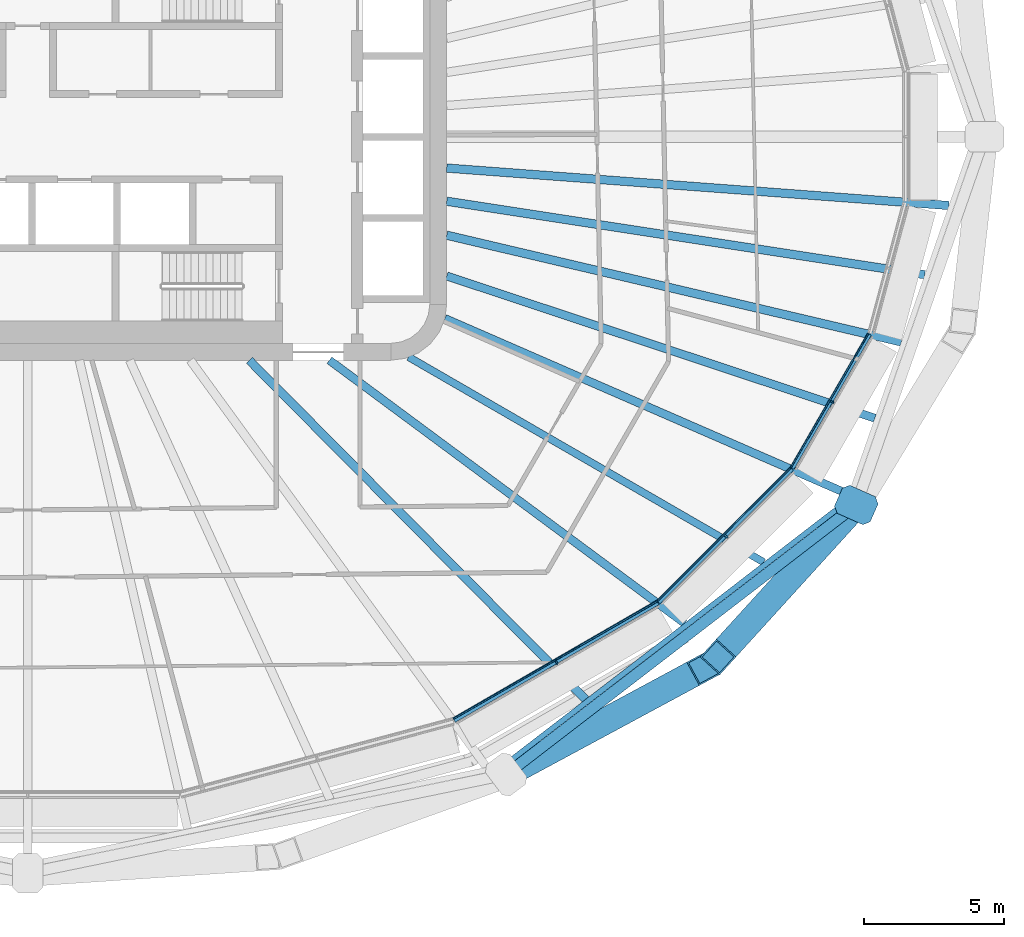
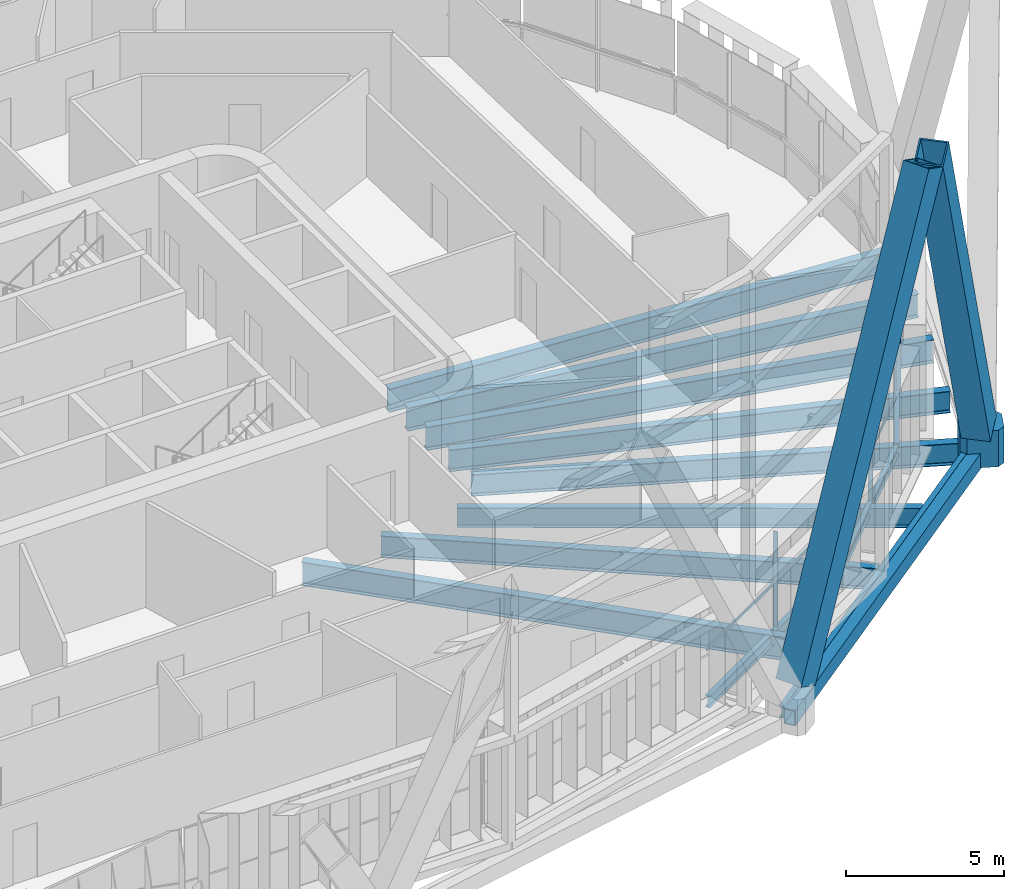
# One storey, part 5 of 25: 13 beams, 9 members, 3 elements without a shape of their own.
"""IFC4 building model written with IfcOpenShell, lengths in metres."""

from ifc_helpers import new_model, si_unit, direction, frame, origin, origin_2d, place, context, subcontext, project, spatial, polyline, rectangle, hollow_rectangle, i_section, outline, extrude, material, layer, layer_set, material_profile, profile_set, type_object, element, aggregate, save


model = new_model("IFC4")

# Units and contexts
model_context = context("Model", 3, precision=1e-05, world=origin(), true_north=direction((0.0, 1.0)))
body_context = subcontext(model_context, "Body", "Model", "MODEL_VIEW")
ifc_project = project(units=[si_unit("LENGTHUNIT", "METRE"), si_unit("AREAUNIT", "SQUARE_METRE"), si_unit("VOLUMEUNIT", "CUBIC_METRE"), si_unit("PLANEANGLEUNIT", "RADIAN"), si_unit("MASSUNIT", "GRAM", prefix="KILO")], contexts=[model_context])

# Site, building, storey
site_placement = place(None, origin())
site = spatial("IfcSite", under=ifc_project, at=site_placement, CompositionType="ELEMENT")
building_placement = place(site_placement, origin())
building = spatial("IfcBuilding", under=site, at=building_placement, Name="Sahrelin Media Tower", CompositionType="ELEMENT")
storey_placement = place(building_placement, frame((0.0, 0.0, 79.800048828125)))
storey = spatial("IfcBuildingStorey", under=building, at=storey_placement, Name="L14", CompositionType="ELEMENT", Elevation=79.800048828125)

# Members
ifc_material_1 = material(Name="Steel S460", Category="steel")
ifc_material_profile_1 = material_profile(ifc_material_1, hollow_rectangle(XDim=0.949951171875, YDim=0.949951171875, WallThickness=0.054931640625, at=origin_2d()), Name="Diagrid diagonal DG2")
ifc_profile_set_1 = profile_set([ifc_material_profile_1], Name="Steel S460")
member_type_1 = type_object("IfcMemberType", Name="Diagrid diagonal DG2", PredefinedType="BRACE", material=ifc_profile_set_1)
member_1_placement = place(storey_placement, frame((17.43359375, -22.66650390625, 0.699951171875), z_axis=(0.392849086991, 0.211661810358, 0.894912773898), x_axis=(-0.474321630663, 0.880351629001, 0.0)))
element("IfcMember", 1, at=member_1_placement, inside=storey, type_object=member_type_1, Name="Diagrid diagonal D02-20", PredefinedType="BRACE", context=body_context, shape_type="SweptSolid", body=[
    extrude(hollow_rectangle(XDim=0.949951171875, YDim=0.949951171875, WallThickness=0.054931640625, at=origin_2d()), origin(), (0.0, 0.0, 1.0), 17.208251953125),
])
member_2_placement = place(storey_placement, frame((29.448486328125, -13.41845703125, 0.699951171875), z_axis=(-0.279512782361, -0.30735879086, 0.90961705029), x_axis=(0.739825407154, -0.672798905267, 0.0)))
element("IfcMember", 2, at=member_2_placement, inside=storey, type_object=member_type_1, Name="Diagrid diagonal D02-21", PredefinedType="BRACE", context=body_context, shape_type="SweptSolid", body=[
    extrude(hollow_rectangle(XDim=0.949951171875, YDim=0.949951171875, WallThickness=0.054931640625, at=origin_2d()), origin(), (0.0, 0.0, 1.0), 16.93017578125),
])
ifc_material_profile_2 = material_profile(ifc_material_1, outline(polyline([(0.5, -0.550048828125), (0.699951171875, -0.35009765625), (0.699951171875, 0.35009765625), (0.5, 0.550048828125), (-0.5, 0.550048828125), (-0.699951171875, 0.35009765625), (-0.699951171875, -0.35009765625), (-0.5, -0.550048828125), (0.5, -0.550048828125)])), Name="Diagrid node block 1400")
ifc_profile_set_2 = profile_set([ifc_material_profile_2], Name="Steel S460")
member_type_2 = type_object("IfcMemberType", Name="Diagrid node block 1400", PredefinedType="USERDEFINED", material=ifc_profile_set_2)
member_3_placement = place(storey_placement, frame((29.66357421875, -13.181884765625, -0.699951171875), z_axis=(0.0, 0.0, 1.0), x_axis=(0.913832734584, -0.406090794285, 0.0)))
element("IfcMember", 3, at=member_3_placement, inside=storey, type_object=member_type_2, Name="Diagrid node N02-11", ObjectType="NODE", PredefinedType="USERDEFINED", context=body_context, shape_type="SweptSolid", body=[
    extrude(outline(polyline([(0.5, -0.550048828125), (0.699951171875, -0.35009765625), (0.699951171875, 0.35009765625), (0.5, 0.550048828125), (-0.5, 0.550048828125), (-0.699951171875, 0.35009765625), (-0.699951171875, -0.35009765625), (-0.5, -0.550048828125), (0.5, -0.550048828125)])), origin(), (0.0, 0.0, 1.0), 1.39990234375),
])

# Beams
ifc_material_profile_3 = material_profile(ifc_material_1, hollow_rectangle(XDim=0.39990234375, YDim=0.60009765625, WallThickness=0.030029296875, at=origin_2d()), Name="Diagrid ring beam RB1")
ifc_profile_set_3 = profile_set([ifc_material_profile_3], Name="Steel S460")
beam_type_1 = type_object("IfcBeamType", Name="Diagrid ring beam RB1", PredefinedType="BEAM", material=ifc_profile_set_3)
beam_1_placement = place(storey_placement, frame((17.126220703125, -22.83203125, -0.449951171875), z_axis=(0.792439810802, 0.609950117843, 0.0), x_axis=(-0.609950117843, 0.792439810802, 0.0)))
element("IfcBeam", 4, at=beam_1_placement, inside=storey, type_object=beam_type_1, Name="Diagrid ring beam RB02-10", PredefinedType="BEAM", context=body_context, shape_type="SweptSolid", body=[
    extrude(hollow_rectangle(XDim=0.39990234375, YDim=0.60009765625, WallThickness=0.030029296875, at=origin_2d()), origin(), (0.0, 0.0, 1.0), 15.8212890625),
])
ifc_material_2 = material(Name="Steel S355", Category="steel")
ifc_material_profile_4 = material_profile(ifc_material_2, i_section(OverallWidth=0.1650390625, OverallDepth=0.303466796875, WebThickness=0.006103515625, FlangeThickness=0.01025390625, FilletRadius=0.0087890625, at=origin_2d()), Name="UB 305x165x40")
ifc_profile_set_4 = profile_set([ifc_material_profile_4], Name="Steel S355")
beam_type_2 = type_object("IfcBeamType", Name="Edge beam EB2", PredefinedType="BEAM", material=ifc_profile_set_4)
beam_2_placement = place(storey_placement, frame((30.131103515625, -7.065673828125, -0.3017578125), z_axis=(-0.500032921827, -0.866006395524, 0.0), x_axis=(0.866006395524, -0.500032921827, 0.0)))
element("IfcBeam", 5, at=beam_2_placement, inside=storey, type_object=beam_type_2, Name="Edge beam L14-03", PredefinedType="BEAM", context=body_context, shape_type="SweptSolid", body=[
    extrude(i_section(OverallWidth=0.1650390625, OverallDepth=0.303466796875, WebThickness=0.006103515625, FlangeThickness=0.01025390625, FilletRadius=0.0087890625, at=origin_2d()), origin(), (0.0, 0.0, 1.0), 5.536376953125),
])
ifc_material_profile_5 = material_profile(ifc_material_2, i_section(OverallWidth=0.17138671875, OverallDepth=0.35498046875, WebThickness=0.00732421875, FlangeThickness=0.011474609375, FilletRadius=0.01025390625, at=origin_2d()), Name="UB 356x171x51")
ifc_profile_set_5 = profile_set([ifc_material_profile_5], Name="Steel S355")
beam_type_3 = type_object("IfcBeamType", Name="Edge beam EB3", PredefinedType="BEAM", material=ifc_profile_set_5)
beam_3_placement = place(storey_placement, frame((27.34521484375, -11.883056640625, -0.32763671875), z_axis=(-0.707106781187, -0.707106781187, 0.0), x_axis=(0.707106781187, -0.707106781187, 0.0)))
element("IfcBeam", 6, at=beam_3_placement, inside=storey, type_object=beam_type_3, Name="Edge beam L14-04", PredefinedType="BEAM", context=body_context, shape_type="SweptSolid", body=[
    extrude(i_section(OverallWidth=0.17138671875, OverallDepth=0.35498046875, WebThickness=0.00732421875, FlangeThickness=0.011474609375, FilletRadius=0.01025390625, at=origin_2d()), origin(), (0.0, 0.0, 1.0), 6.743408203125),
])
ifc_material_profile_6 = material_profile(ifc_material_2, i_section(OverallWidth=0.1904296875, OverallDepth=0.45703125, WebThickness=0.009033203125, FlangeThickness=0.014404296875, FilletRadius=0.01025390625, at=origin_2d()), Name="UB 457x191x74")
ifc_profile_set_6 = profile_set([ifc_material_profile_6], Name="Steel S355")
beam_type_4 = type_object("IfcBeamType", Name="Edge beam EB5", PredefinedType="BEAM", material=ifc_profile_set_6)
beam_4_placement = place(storey_placement, frame((22.55419921875, -16.6689453125, -0.378662109375), z_axis=(-0.866028760111, -0.499994186627, 0.0), x_axis=(0.499994186627, -0.866028760111, 0.0)))
element("IfcBeam", 7, at=beam_4_placement, inside=storey, type_object=beam_type_4, Name="Edge beam L14-05", PredefinedType="BEAM", context=body_context, shape_type="SweptSolid", body=[
    extrude(i_section(OverallWidth=0.1904296875, OverallDepth=0.45703125, WebThickness=0.009033203125, FlangeThickness=0.014404296875, FilletRadius=0.01025390625, at=origin_2d()), origin(), (0.0, 0.0, 1.0), 8.42529296875),
])

# Curtain wall, member
ifc_material_3 = material(Name="Champagne anodised aluminium 6063-T6", Category="aluminium")
ifc_layer = layer(ifc_material_3, 0.14990234375)
ifc_layer_set = layer_set([ifc_layer], Name="Tower ribbon curtain wall")
curtain_wall_type = type_object("IfcCurtainWallType", Name="Tower ribbon curtain wall", PredefinedType="NOTDEFINED", material=ifc_layer_set)
curtain_wall_1_placement = place(storey_placement, frame((18.98095703125, -18.9052734375, 0.0), z_axis=(0.0, 0.0, 1.0), x_axis=(1.0, 0.0, 0.0)))
curtain_wall_1 = element("IfcCurtainWall", 8, at=curtain_wall_1_placement, inside=storey, type_object=curtain_wall_type, Name="L14:CW:L14-20", PredefinedType="NOTDEFINED")
ifc_material_profile_7 = material_profile(ifc_material_3, rectangle(XDim=0.06005859375, YDim=0.14990234375, at=origin_2d()), Name="Mullion 60x150")
ifc_profile_set_7 = profile_set([ifc_material_profile_7], Name="Champagne anodised aluminium 6063-T6")
member_type_3 = type_object("IfcMemberType", Name="Mullion 60x150 CW1", PredefinedType="MULLION", material=ifc_profile_set_7)
member_4_placement = place(storey_placement, frame((18.933349609375, -18.822998046875, 0.0), z_axis=(0.0, 0.0, 1.0), x_axis=(0.866027149108, 0.499996976998, 0.0)))
member_4 = element("IfcMember", 9, at=member_4_placement, type_object=member_type_3, Name="L14:CWM:L14-20", PredefinedType="MULLION", context=body_context, shape_type="SweptSolid", body=[
    extrude(rectangle(XDim=0.06005859375, YDim=0.14990234375, at=origin_2d()), origin(), (0.0, 0.0, 1.0), 3.6484375),
])

curtain_wall_2_placement = place(storey_placement, frame((25.067138671875, -14.373291015625, 0.0), z_axis=(0.0, 0.0, 1.0), x_axis=(1.0, 0.0, 0.0)))
curtain_wall_2 = element("IfcCurtainWall", 10, at=curtain_wall_2_placement, inside=storey, type_object=curtain_wall_type, Name="L14:CW:L14-21", PredefinedType="NOTDEFINED")
member_5_placement = place(storey_placement, frame((25.0, -14.30615234375, 0.0), z_axis=(0.0, 0.0, 1.0), x_axis=(0.707106781187, 0.707106781187, 0.0)))
member_5 = element("IfcMember", 11, at=member_5_placement, type_object=member_type_3, Name="L14:CWM:L14-21", PredefinedType="MULLION", context=body_context, shape_type="SweptSolid", body=[
    extrude(rectangle(XDim=0.06005859375, YDim=0.14990234375, at=origin_2d()), origin(), (0.0, 0.0, 1.0), 3.6484375),
])

curtain_wall_3_placement = place(storey_placement, frame((28.876708984375, -9.537841796875, 0.0), z_axis=(0.0, 0.0, 1.0), x_axis=(1.0, 0.0, 0.0)))
curtain_wall_3 = element("IfcCurtainWall", 12, at=curtain_wall_3_placement, inside=storey, type_object=curtain_wall_type, Name="L14:CW:L14-22", PredefinedType="NOTDEFINED")
member_6_placement = place(storey_placement, frame((28.79443359375, -9.490478515625, 0.0), z_axis=(0.0, 0.0, 1.0), x_axis=(0.5, 0.866025403784, 0.0)))
member_6 = element("IfcMember", 13, at=member_6_placement, type_object=member_type_3, Name="L14:CWM:L14-22", PredefinedType="MULLION", context=body_context, shape_type="SweptSolid", body=[
    extrude(rectangle(XDim=0.06005859375, YDim=0.14990234375, at=origin_2d()), origin(), (0.0, 0.0, 1.0), 3.6484375),
])

# Beams
ifc_material_profile_8 = material_profile(ifc_material_2, i_section(OverallWidth=0.291748046875, OverallDepth=0.8349609375, WebThickness=0.013916015625, FlangeThickness=0.018798828125, FilletRadius=0.017822265625, at=origin_2d()), Name="UB 838x292x176")
ifc_profile_set_8 = profile_set([ifc_material_profile_8], Name="Steel S355")
beam_type_5 = type_object("IfcBeamType", Name="Radial primary beam PB10", PredefinedType="BEAM", material=ifc_profile_set_8)
beam_5_placement = place(storey_placement, frame((10.8017578125, -8.0, -0.567626953125), z_axis=(0.803598471395, -0.595171821218, 0.0), x_axis=(0.595171821218, 0.803598471395, 0.0)))
element("IfcBeam", 14, at=beam_5_placement, inside=storey, type_object=beam_type_5, Name="Radial beam L14-21", PredefinedType="BEAM", context=body_context, shape_type="SweptSolid", body=[
    extrude(i_section(OverallWidth=0.291748046875, OverallDepth=0.8349609375, WebThickness=0.013916015625, FlangeThickness=0.018798828125, FilletRadius=0.017822265625, at=origin_2d()), origin(), (0.0, 0.0, 1.0), 15.8203125),
])
beam_6_placement = place(storey_placement, frame((14.933837890625, -6.50341796875, -0.567626953125), z_axis=(0.916840562367, -0.399253532482, 0.0), x_axis=(0.399253532482, 0.916840562367, 0.0)))
element("IfcBeam", 15, at=beam_6_placement, inside=storey, type_object=beam_type_5, Name="Radial beam L14-22", PredefinedType="BEAM", context=body_context, shape_type="SweptSolid", body=[
    extrude(i_section(OverallWidth=0.291748046875, OverallDepth=0.8349609375, WebThickness=0.013916015625, FlangeThickness=0.018798828125, FilletRadius=0.017822265625, at=origin_2d()), origin(), (0.0, 0.0, 1.0), 15.75634765625),
])
ifc_material_profile_9 = material_profile(ifc_material_2, i_section(OverallWidth=0.30322265625, OverallDepth=0.903076171875, WebThickness=0.01513671875, FlangeThickness=0.020263671875, FilletRadius=0.01904296875, at=origin_2d()), Name="UB 914x305x201")
ifc_profile_set_9 = profile_set([ifc_material_profile_9], Name="Steel S355")
beam_type_6 = type_object("IfcBeamType", Name="Radial primary beam PB11", PredefinedType="BEAM", material=ifc_profile_set_9)
beam_7_placement = place(storey_placement, frame((15.0, -3.52294921875, -0.6015625), z_axis=(0.973510923424, -0.228640508167, 0.0), x_axis=(0.228640508167, 0.973510923424, 0.0)))
element("IfcBeam", 16, at=beam_7_placement, inside=storey, type_object=beam_type_6, Name="Radial beam L14-23", PredefinedType="BEAM", context=body_context, shape_type="SweptSolid", body=[
    extrude(i_section(OverallWidth=0.30322265625, OverallDepth=0.903076171875, WebThickness=0.01513671875, FlangeThickness=0.020263671875, FilletRadius=0.01904296875, at=origin_2d()), origin(), (0.0, 0.0, 1.0), 16.719482421875),
])
beam_8_placement = place(storey_placement, frame((15.0, -1.119140625, -0.6015625), z_axis=(0.997228147563, -0.074404446835, 0.0), x_axis=(0.074404446835, 0.997228147563, 0.0)))
element("IfcBeam", 17, at=beam_8_placement, inside=storey, type_object=beam_type_6, Name="Radial beam L14-24", PredefinedType="BEAM", context=body_context, shape_type="SweptSolid", body=[
    extrude(i_section(OverallWidth=0.30322265625, OverallDepth=0.903076171875, WebThickness=0.01513671875, FlangeThickness=0.020263671875, FilletRadius=0.01904296875, at=origin_2d()), origin(), (0.0, 0.0, 1.0), 18.02734375),
])
ifc_material_profile_10 = material_profile(ifc_material_2, i_section(OverallWidth=0.291748046875, OverallDepth=0.8349609375, WebThickness=0.013916015625, FlangeThickness=0.018798828125, FilletRadius=0.017822265625, at=origin_2d()), Name="UB 838x292x176")
ifc_profile_set_10 = profile_set([ifc_material_profile_10], Name="Steel S355")
beam_type_7 = type_object("IfcBeamType", Name="Radial secondary beam SB10", PredefinedType="BEAM", material=ifc_profile_set_10)
beam_9_placement = place(storey_placement, frame((15.0, -4.982421875, -0.567626953125), z_axis=(0.949016844351, -0.31522536246, 0.0), x_axis=(0.31522536246, 0.949016844351, 0.0)))
element("IfcBeam", 18, at=beam_9_placement, inside=storey, type_object=beam_type_7, Name="Secondary beam L14-22", PredefinedType="BEAM", context=body_context, shape_type="SweptSolid", body=[
    extrude(i_section(OverallWidth=0.291748046875, OverallDepth=0.8349609375, WebThickness=0.013916015625, FlangeThickness=0.018798828125, FilletRadius=0.017822265625, at=origin_2d()), origin(), (0.0, 0.0, 1.0), 16.150634765625),
])
ifc_material_profile_11 = material_profile(ifc_material_2, i_section(OverallWidth=0.30322265625, OverallDepth=0.903076171875, WebThickness=0.01513671875, FlangeThickness=0.020263671875, FilletRadius=0.01904296875, at=origin_2d()), Name="UB 914x305x201")
ifc_profile_set_11 = profile_set([ifc_material_profile_11], Name="Steel S355")
beam_type_8 = type_object("IfcBeamType", Name="Radial secondary beam SB11", PredefinedType="BEAM", material=ifc_profile_set_11)
beam_10_placement = place(storey_placement, frame((7.93310546875, -8.0, -0.6015625), z_axis=(0.704137932596, -0.710063216819, 0.0), x_axis=(0.710063216819, 0.704137932596, 0.0)))
element("IfcBeam", 19, at=beam_10_placement, inside=storey, type_object=beam_type_8, Name="Secondary beam L14-20", PredefinedType="BEAM", context=body_context, shape_type="SweptSolid", body=[
    extrude(i_section(OverallWidth=0.30322265625, OverallDepth=0.903076171875, WebThickness=0.01513671875, FlangeThickness=0.020263671875, FilletRadius=0.01904296875, at=origin_2d()), origin(), (0.0, 0.0, 1.0), 17.099365234375),
])
beam_11_placement = place(storey_placement, frame((15.0, -2.306640625, -0.6015625), z_axis=(0.988384245044, -0.151975603796, 0.0), x_axis=(0.151975603796, 0.988384245044, 0.0)))
element("IfcBeam", 20, at=beam_11_placement, inside=storey, type_object=beam_type_8, Name="Secondary beam L14-23", PredefinedType="BEAM", context=body_context, shape_type="SweptSolid", body=[
    extrude(i_section(OverallWidth=0.30322265625, OverallDepth=0.903076171875, WebThickness=0.01513671875, FlangeThickness=0.020263671875, FilletRadius=0.01904296875, at=origin_2d()), origin(), (0.0, 0.0, 1.0), 17.31591796875),
])
ifc_material_profile_12 = material_profile(ifc_material_2, i_section(OverallWidth=0.26513671875, OverallDepth=0.75390625, WebThickness=0.0126953125, FlangeThickness=0.017578125, FilletRadius=0.0166015625, at=origin_2d()), Name="UB 762x267x147")
ifc_profile_set_12 = profile_set([ifc_material_profile_12], Name="Steel S355")
beam_type_9 = type_object("IfcBeamType", Name="Radial secondary beam SB9", PredefinedType="BEAM", material=ifc_profile_set_12)
beam_12_placement = place(storey_placement, frame((13.63720703125, -7.88232421875, -0.527099609375), z_axis=(0.865780409696, -0.500424102323, 0.0), x_axis=(0.500424102323, 0.865780409696, 0.0)))
element("IfcBeam", 21, at=beam_12_placement, inside=storey, type_object=beam_type_9, Name="Secondary beam L14-21", PredefinedType="BEAM", context=body_context, shape_type="SweptSolid", body=[
    extrude(i_section(OverallWidth=0.26513671875, OverallDepth=0.75390625, WebThickness=0.0126953125, FlangeThickness=0.017578125, FilletRadius=0.0166015625, at=origin_2d()), origin(), (0.0, 0.0, 1.0), 14.686279296875),
])
ifc_material_profile_13 = material_profile(ifc_material_2, i_section(OverallWidth=0.1904296875, OverallDepth=0.45703125, WebThickness=0.009033203125, FlangeThickness=0.014404296875, FilletRadius=0.01025390625, at=origin_2d()), Name="UB 457x191x74")
ifc_profile_set_13 = profile_set([ifc_material_profile_13], Name="Steel S355")
beam_type_10 = type_object("IfcBeamType", Name="Tie chord TC5", PredefinedType="BEAM", material=ifc_profile_set_13)
beam_13_placement = place(storey_placement, frame((29.409423828125, -12.998779296875, -0.378662109375), z_axis=(-0.792438521011, -0.60995179352, 0.0), x_axis=(0.60995179352, -0.792438521011, 0.0)))
element("IfcBeam", 22, at=beam_13_placement, inside=storey, type_object=beam_type_10, Name="Tie chord L14-02", PredefinedType="BEAM", context=body_context, shape_type="SweptSolid", body=[
    extrude(i_section(OverallWidth=0.1904296875, OverallDepth=0.45703125, WebThickness=0.009033203125, FlangeThickness=0.014404296875, FilletRadius=0.01025390625, at=origin_2d()), origin(), (0.0, 0.0, 1.0), 15.662353515625),
])

# Member
ifc_material_profile_14 = material_profile(ifc_material_3, rectangle(XDim=0.050048828125, YDim=0.10009765625, at=origin_2d()), Name="Transom 50x100")
ifc_profile_set_14 = profile_set([ifc_material_profile_14], Name="Champagne anodised aluminium 6063-T6")
member_type_4 = type_object("IfcMemberType", Name="Transom 50x100 CW1", PredefinedType="USERDEFINED", material=ifc_profile_set_14)
member_7_placement = place(storey_placement, frame((15.248779296875, -20.834716796875, 1.599853515625), z_axis=(0.866020419704, 0.500008632582, 0.0), x_axis=(-0.500008632582, 0.866020419704, 0.0)))
member_7 = element("IfcMember", 23, at=member_7_placement, type_object=member_type_4, Name="L14:CWT:L14-20", ObjectType="TRANSOM", PredefinedType="USERDEFINED", context=body_context, shape_type="SweptSolid", body=[
    extrude(rectangle(XDim=0.050048828125, YDim=0.10009765625, at=origin_2d()), origin(), (0.0, 0.0, 1.0), 8.393798828125),
])

aggregate(curtain_wall_1, [member_4, member_7])

member_8_placement = place(storey_placement, frame((22.556396484375, -16.6083984375, 1.599853515625), z_axis=(0.707106781187, 0.707106781187, 0.0), x_axis=(-0.707106781187, 0.707106781187, 0.0)))
member_8 = element("IfcMember", 24, at=member_8_placement, type_object=member_type_4, Name="L14:CWT:L14-21", ObjectType="TRANSOM", PredefinedType="USERDEFINED", context=body_context, shape_type="SweptSolid", body=[
    extrude(rectangle(XDim=0.050048828125, YDim=0.10009765625, at=origin_2d()), origin(), (0.0, 0.0, 1.0), 6.7119140625),
])

aggregate(curtain_wall_2, [member_5, member_8])

member_9_placement = place(storey_placement, frame((27.331787109375, -11.82421875, 1.599853515625), z_axis=(0.499969440488, 0.866043046608, 0.0), x_axis=(-0.866043046608, 0.499969440488, 0.0)))
member_9 = element("IfcMember", 25, at=member_9_placement, type_object=member_type_4, Name="L14:CWT:L14-22", ObjectType="TRANSOM", PredefinedType="USERDEFINED", context=body_context, shape_type="SweptSolid", body=[
    extrude(rectangle(XDim=0.050048828125, YDim=0.10009765625, at=origin_2d()), origin(), (0.0, 0.0, 1.0), 5.504638671875),
])

aggregate(curtain_wall_3, [member_6, member_9])

save(model, "model.ifc")
